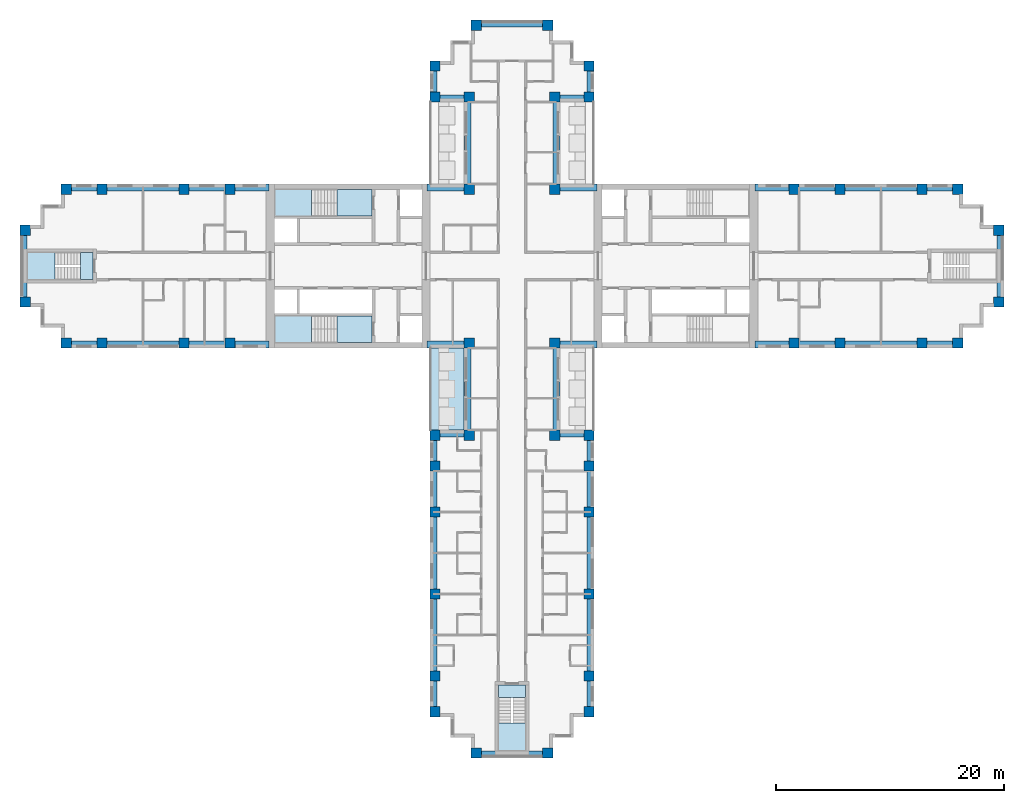
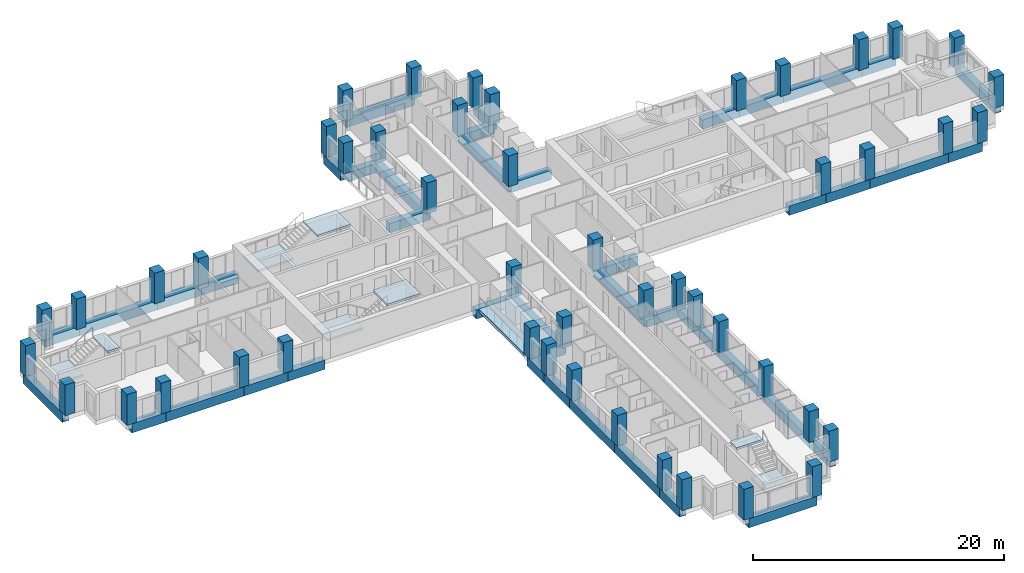
# One storey, part 1 of 14: 48 columns, 44 beams, 9 slabs, 4 elements without a shape of their own.
"""IFC4 building model written with IfcOpenShell, lengths in metres."""

from ifc_helpers import new_model, si_unit, direction, frame, origin, origin_2d, place, context, subcontext, project, spatial, polyline, rectangle, outline, extrude, material, layer, layer_set, material_profile, profile_set, type_object, element, aggregate, save


model = new_model("IFC4")

# Units and contexts
model_context = context("Model", 3, precision=1e-05, world=origin(), true_north=direction((0.0, 1.0)))
body_context = subcontext(model_context, "Body", "Model", "MODEL_VIEW")
ifc_project = project(units=[si_unit("LENGTHUNIT", "METRE"), si_unit("AREAUNIT", "SQUARE_METRE"), si_unit("VOLUMEUNIT", "CUBIC_METRE"), si_unit("PLANEANGLEUNIT", "RADIAN"), si_unit("MASSUNIT", "GRAM", prefix="KILO")], contexts=[model_context])

# Site, building, storey
site_placement = place(None, origin())
site = spatial("IfcSite", under=ifc_project, at=site_placement, CompositionType="ELEMENT")
building_placement = place(site_placement, origin())
building = spatial("IfcBuilding", under=site, at=building_placement, Name="Fustian Cross Tower", CompositionType="ELEMENT")
storey_placement = place(building_placement, frame((0.0, 0.0, 72.89990234375)))
storey = spatial("IfcBuildingStorey", under=building, at=storey_placement, Name="L22", CompositionType="ELEMENT", Elevation=72.89990234375)

# Columns
ifc_material_1 = material(Name="Concrete C60/75", Category="concrete")
ifc_material_profile_1 = material_profile(ifc_material_1, rectangle(XDim=0.89990234375, YDim=0.89990234375, at=origin_2d()), Name="RC 900x900")
ifc_profile_set_1 = profile_set([ifc_material_profile_1], Name="Concrete C60/75")
column_type = type_object("IfcColumnType", Name="COLUMN RC 900x900 C60/75", PredefinedType="COLUMN", material=ifc_profile_set_1)
for number, where, z_axis, x_axis, name in (
    (1, (-42.75, -3.14990234375, 0.0), (0.0, 0.0, 1.0), (1.0, 0.0, 0.0), "COLUMN 001"),
    (2, (-42.75, 3.14990234375, 0.0), (0.0, 0.0, 1.0), (1.0, 0.0, 0.0), "COLUMN 002"),
    (3, (-39.14990234375, -6.75, 0.0), (0.0, 0.0, 1.0), (1.0, 0.0, 0.0), "COLUMN 003"),
    (4, (-39.14990234375, 6.75, 0.0), (0.0, 0.0, 1.0), (1.0, 0.0, 0.0), "COLUMN 004"),
    (5, (-36.0, -6.75, 0.0), (0.0, 0.0, 1.0), (1.0, 0.0, 0.0), "COLUMN 005"),
    (6, (-36.0, 6.75, 0.0), (0.0, 0.0, 1.0), (1.0, 0.0, 0.0), "COLUMN 006"),
    (7, (-28.800048828125, -6.75, 0.0), (0.0, 0.0, 1.0), (1.0, 0.0, 0.0), "COLUMN 007"),
    (8, (-28.800048828125, 6.75, 0.0), (0.0, 0.0, 1.0), (1.0, 0.0, 0.0), "COLUMN 010"),
    (9, (-24.75, -6.75, 0.0), (0.0, 0.0, 1.0), (1.0, 0.0, 0.0), "COLUMN 011"),
    (10, (-24.75, 6.75, 0.0), (0.0, 0.0, 1.0), (1.0, 0.0, 0.0), "COLUMN 012"),
    (11, (-6.75, -39.14990234375, 0.0), (0.0, 0.0, 1.0), (1.0, 0.0, 0.0), "COLUMN 013"),
    (12, (-6.75, -36.0, 0.0), (0.0, 0.0, 1.0), (1.0, 0.0, 0.0), "COLUMN 014"),
    (13, (-6.75, -28.800048828125, 0.0), (0.0, 0.0, 1.0), (1.0, 0.0, 0.0), "COLUMN 015"),
    (14, (-6.75, -21.60009765625, 0.0), (0.0, 0.0, 1.0), (1.0, 0.0, 0.0), "COLUMN 016"),
    (15, (-6.75, -17.550048828125, 0.0), (0.0, 0.0, 1.0), (1.0, 0.0, 0.0), "COLUMN 017"),
    (16, (-6.75, -14.85009765625, 0.0), (0.0, 0.0, 1.0), (1.0, 0.0, 0.0), "COLUMN 018"),
    (17, (-6.75, 14.85009765625, 0.0), (0.0, 0.0, 1.0), (1.0, 0.0, 0.0), "COLUMN 019"),
    (18, (-6.75, 17.550048828125, 0.0), (0.0, 0.0, 1.0), (1.0, 0.0, 0.0), "COLUMN 020"),
    (19, (-3.75, -14.85009765625, 0.0), (0.0, 0.0, 1.0), (1.0, 0.0, 0.0), "COLUMN 025"),
    (20, (-3.75, -6.75, 0.0), (0.0, 0.0, 1.0), (1.0, 0.0, 0.0), "COLUMN 026"),
    (21, (-3.75, 6.75, 0.0), (0.0, 0.0, 1.0), (1.0, 0.0, 0.0), "COLUMN 027"),
    (22, (-3.75, 14.85009765625, 0.0), (0.0, 0.0, 1.0), (1.0, 0.0, 0.0), "COLUMN 028"),
    (23, (-3.14990234375, -42.75, 0.0), (0.0, 0.0, 1.0), (1.0, 0.0, 0.0), "COLUMN 029"),
    (24, (-3.14990234375, 21.14990234375, 0.0), (0.0, 0.0, 1.0), (1.0, 0.0, 0.0), "COLUMN 031"),
    (25, (3.14990234375, -42.75, 0.0), (0.0, 0.0, 1.0), (1.0, 0.0, 0.0), "COLUMN 033"),
    (26, (3.14990234375, 21.14990234375, 0.0), (0.0, 0.0, 1.0), (1.0, 0.0, 0.0), "COLUMN 035"),
    (27, (3.75, -14.85009765625, 0.0), (0.0, 0.0, 1.0), (1.0, 0.0, 0.0), "COLUMN 037"),
    (28, (3.75, -6.75, 0.0), (0.0, 0.0, 1.0), (1.0, 0.0, 0.0), "COLUMN 038"),
    (29, (3.75, 6.75, 0.0), (0.0, 0.0, 1.0), (1.0, 0.0, 0.0), "COLUMN 039"),
    (30, (3.75, 14.85009765625, 0.0), (0.0, 0.0, 1.0), (1.0, 0.0, 0.0), "COLUMN 040"),
    (31, (6.75, -39.14990234375, 0.0), (0.0, 0.0, 1.0), (1.0, 0.0, 0.0), "COLUMN 041"),
    (32, (6.75, -36.0, 0.0), (0.0, 0.0, 1.0), (1.0, 0.0, 0.0), "COLUMN 042"),
    (33, (6.75, -28.800048828125, 0.0), (0.0, 0.0, 1.0), (1.0, 0.0, 0.0), "COLUMN 043"),
    (34, (6.75, -21.60009765625, 0.0), (0.0, 0.0, 1.0), (1.0, 0.0, 0.0), "COLUMN 044"),
    (35, (6.75, -17.550048828125, 0.0), (0.0, 0.0, 1.0), (1.0, 0.0, 0.0), "COLUMN 045"),
    (36, (6.75, -14.85009765625, 0.0), (0.0, 0.0, 1.0), (1.0, 0.0, 0.0), "COLUMN 046"),
    (37, (6.75, 14.85009765625, 0.0), (0.0, 0.0, 1.0), (1.0, 0.0, 0.0), "COLUMN 047"),
    (38, (6.75, 17.550048828125, 0.0), (0.0, 0.0, 1.0), (1.0, 0.0, 0.0), "COLUMN 048"),
    (39, (24.75, -6.75, 0.0), (0.0, 0.0, 1.0), (1.0, 0.0, 0.0), "COLUMN 053"),
    (40, (24.75, 6.75, 0.0), (0.0, 0.0, 1.0), (1.0, 0.0, 0.0), "COLUMN 054"),
    (41, (28.800048828125, -6.75, 0.0), (0.0, 0.0, 1.0), (1.0, 0.0, 0.0), "COLUMN 055"),
    (42, (28.800048828125, 6.75, 0.0), (0.0, 0.0, 1.0), (1.0, 0.0, 0.0), "COLUMN 058"),
    (43, (36.0, -6.75, 0.0), (0.0, 0.0, 1.0), (1.0, 0.0, 0.0), "COLUMN 059"),
    (44, (36.0, 6.75, 0.0), (0.0, 0.0, 1.0), (1.0, 0.0, 0.0), "COLUMN 060"),
    (45, (39.14990234375, -6.75, 0.0), (0.0, 0.0, 1.0), (1.0, 0.0, 0.0), "COLUMN 061"),
    (46, (39.14990234375, 6.75, 0.0), (0.0, 0.0, 1.0), (1.0, 0.0, 0.0), "COLUMN 062"),
    (47, (42.75, -3.14990234375, 0.0), (0.0, 0.0, 1.0), (1.0, 0.0, 0.0), "COLUMN 063"),
    (48, (42.75, 3.14990234375, 0.0), (0.0, 0.0, 1.0), (1.0, 0.0, 0.0), "COLUMN 064"),
):
    element("IfcColumn", number, at=place(storey_placement, frame(where, z_axis=z_axis, x_axis=x_axis)), inside=storey, type_object=column_type, Name=name, PredefinedType="COLUMN", context=body_context, shape_type="SweptSolid", body=[
        extrude(rectangle(XDim=0.89990234375, YDim=0.89990234375, at=origin_2d()), origin(), (0.0, 0.0, 1.0), 3.0),
    ])

# Beams
ifc_material_2 = material(Name="Concrete C50/60", Category="concrete")
ifc_material_profile_2 = material_profile(ifc_material_2, rectangle(XDim=0.60009765625, YDim=0.89990234375, at=origin_2d()), Name="RC 600x900")
ifc_profile_set_2 = profile_set([ifc_material_profile_2], Name="Concrete C50/60")
beam_type = type_object("IfcBeamType", Name="EDGE BEAM RC 600x900 C50/60", PredefinedType="SPANDREL", material=ifc_profile_set_2)
beam_1_placement = place(storey_placement, frame((21.35009765625, -6.89990234375, -0.449951171875), z_axis=(1.0, 0.0, 0.0), x_axis=(0.0, 1.0, 0.0)))
element("IfcBeam", 49, at=beam_1_placement, inside=storey, type_object=beam_type, Name="EDGE BEAM L22-01", PredefinedType="SPANDREL", context=body_context, shape_type="SweptSolid", body=[
    extrude(rectangle(XDim=0.60009765625, YDim=0.89990234375, at=origin_2d()), origin(), (0.0, 0.0, 1.0), 3.39990234375),
])
beam_2_placement = place(storey_placement, frame((24.75, -6.89990234375, -0.449951171875), z_axis=(1.0, 0.0, 0.0), x_axis=(0.0, 1.0, 0.0)))
element("IfcBeam", 50, at=beam_2_placement, inside=storey, type_object=beam_type, Name="EDGE BEAM L22-02", PredefinedType="SPANDREL", context=body_context, shape_type="SweptSolid", body=[
    extrude(rectangle(XDim=0.60009765625, YDim=0.89990234375, at=origin_2d()), origin(), (0.0, 0.0, 1.0), 4.050048828125),
])
beam_3_placement = place(storey_placement, frame((28.800048828125, -6.89990234375, -0.449951171875), z_axis=(1.0, 0.0, 0.0), x_axis=(0.0, 1.0, 0.0)))
element("IfcBeam", 51, at=beam_3_placement, inside=storey, type_object=beam_type, Name="EDGE BEAM L22-03", PredefinedType="SPANDREL", context=body_context, shape_type="SweptSolid", body=[
    extrude(rectangle(XDim=0.60009765625, YDim=0.89990234375, at=origin_2d()), origin(), (0.0, 0.0, 1.0), 7.199951171875),
])
beam_4_placement = place(storey_placement, frame((36.0, -6.89990234375, -0.449951171875), z_axis=(1.0, 0.0, 0.0), x_axis=(0.0, 1.0, 0.0)))
element("IfcBeam", 52, at=beam_4_placement, inside=storey, type_object=beam_type, Name="EDGE BEAM L22-04", PredefinedType="SPANDREL", context=body_context, shape_type="SweptSolid", body=[
    extrude(rectangle(XDim=0.60009765625, YDim=0.89990234375, at=origin_2d()), origin(), (0.0, 0.0, 1.0), 3.14990234375),
])
beam_5_placement = place(storey_placement, frame((42.89990234375, -3.14990234375, -0.449951171875), z_axis=(0.0, 1.0, 0.0), x_axis=(-1.0, 0.0, 0.0)))
element("IfcBeam", 53, at=beam_5_placement, inside=storey, type_object=beam_type, Name="EDGE BEAM L22-05", PredefinedType="SPANDREL", context=body_context, shape_type="SweptSolid", body=[
    extrude(rectangle(XDim=0.60009765625, YDim=0.89990234375, at=origin_2d()), origin(), (0.0, 0.0, 1.0), 6.2998046875),
])
beam_6_placement = place(storey_placement, frame((39.14990234375, 6.89990234375, -0.449951171875), z_axis=(-1.0, 0.0, 0.0), x_axis=(0.0, -1.0, 0.0)))
element("IfcBeam", 54, at=beam_6_placement, inside=storey, type_object=beam_type, Name="EDGE BEAM L22-06", PredefinedType="SPANDREL", context=body_context, shape_type="SweptSolid", body=[
    extrude(rectangle(XDim=0.60009765625, YDim=0.89990234375, at=origin_2d()), origin(), (0.0, 0.0, 1.0), 3.14990234375),
])
beam_7_placement = place(storey_placement, frame((36.0, 6.89990234375, -0.449951171875), z_axis=(-1.0, 0.0, 0.0), x_axis=(0.0, -1.0, 0.0)))
element("IfcBeam", 55, at=beam_7_placement, inside=storey, type_object=beam_type, Name="EDGE BEAM L22-07", PredefinedType="SPANDREL", context=body_context, shape_type="SweptSolid", body=[
    extrude(rectangle(XDim=0.60009765625, YDim=0.89990234375, at=origin_2d()), origin(), (0.0, 0.0, 1.0), 7.199951171875),
])
beam_8_placement = place(storey_placement, frame((28.800048828125, 6.89990234375, -0.449951171875), z_axis=(-1.0, 0.0, 0.0), x_axis=(0.0, -1.0, 0.0)))
element("IfcBeam", 56, at=beam_8_placement, inside=storey, type_object=beam_type, Name="EDGE BEAM L22-08", PredefinedType="SPANDREL", context=body_context, shape_type="SweptSolid", body=[
    extrude(rectangle(XDim=0.60009765625, YDim=0.89990234375, at=origin_2d()), origin(), (0.0, 0.0, 1.0), 4.050048828125),
])
beam_9_placement = place(storey_placement, frame((24.75, 6.89990234375, -0.449951171875), z_axis=(-1.0, 0.0, 0.0), x_axis=(0.0, -1.0, 0.0)))
element("IfcBeam", 57, at=beam_9_placement, inside=storey, type_object=beam_type, Name="EDGE BEAM L22-09", PredefinedType="SPANDREL", context=body_context, shape_type="SweptSolid", body=[
    extrude(rectangle(XDim=0.60009765625, YDim=0.89990234375, at=origin_2d()), origin(), (0.0, 0.0, 1.0), 3.39990234375),
])
beam_10_placement = place(storey_placement, frame((7.449951171875, 6.89990234375, -0.449951171875), z_axis=(-1.0, 0.0, 0.0), x_axis=(0.0, -1.0, 0.0)))
element("IfcBeam", 58, at=beam_10_placement, inside=storey, type_object=beam_type, Name="EDGE BEAM L22-10", PredefinedType="SPANDREL", context=body_context, shape_type="SweptSolid", body=[
    extrude(rectangle(XDim=0.60009765625, YDim=0.89990234375, at=origin_2d()), origin(), (0.0, 0.0, 1.0), 3.699951171875),
])
beam_11_placement = place(storey_placement, frame((3.89990234375, 6.75, -0.449951171875), z_axis=(0.0, 1.0, 0.0), x_axis=(-1.0, 0.0, 0.0)))
element("IfcBeam", 59, at=beam_11_placement, inside=storey, type_object=beam_type, Name="EDGE BEAM L22-11", PredefinedType="SPANDREL", context=body_context, shape_type="SweptSolid", body=[
    extrude(rectangle(XDim=0.60009765625, YDim=0.89990234375, at=origin_2d()), origin(), (0.0, 0.0, 1.0), 8.10009765625),
])
beam_12_placement = place(storey_placement, frame((3.75, 14.699951171875, -0.449951171875), z_axis=(1.0, 0.0, 0.0), x_axis=(0.0, 1.0, 0.0)))
element("IfcBeam", 60, at=beam_12_placement, inside=storey, type_object=beam_type, Name="EDGE BEAM L22-12", PredefinedType="SPANDREL", context=body_context, shape_type="SweptSolid", body=[
    extrude(rectangle(XDim=0.60009765625, YDim=0.89990234375, at=origin_2d()), origin(), (0.0, 0.0, 1.0), 3.0),
])
beam_13_placement = place(storey_placement, frame((6.89990234375, 14.85009765625, -0.449951171875), z_axis=(0.0, 1.0, 0.0), x_axis=(-1.0, 0.0, 0.0)))
element("IfcBeam", 61, at=beam_13_placement, inside=storey, type_object=beam_type, Name="EDGE BEAM L22-13", PredefinedType="SPANDREL", context=body_context, shape_type="SweptSolid", body=[
    extrude(rectangle(XDim=0.60009765625, YDim=0.89990234375, at=origin_2d()), origin(), (0.0, 0.0, 1.0), 2.699951171875),
])
beam_14_placement = place(storey_placement, frame((3.14990234375, 21.300048828125, -0.449951171875), z_axis=(-1.0, 0.0, 0.0), x_axis=(0.0, -1.0, 0.0)))
element("IfcBeam", 62, at=beam_14_placement, inside=storey, type_object=beam_type, Name="EDGE BEAM L22-14", PredefinedType="SPANDREL", context=body_context, shape_type="SweptSolid", body=[
    extrude(rectangle(XDim=0.60009765625, YDim=0.89990234375, at=origin_2d()), origin(), (0.0, 0.0, 1.0), 6.2998046875),
])
beam_15_placement = place(storey_placement, frame((-6.89990234375, 17.550048828125, -0.449951171875), z_axis=(0.0, -1.0, 0.0), x_axis=(1.0, 0.0, 0.0)))
element("IfcBeam", 63, at=beam_15_placement, inside=storey, type_object=beam_type, Name="EDGE BEAM L22-15", PredefinedType="SPANDREL", context=body_context, shape_type="SweptSolid", body=[
    extrude(rectangle(XDim=0.60009765625, YDim=0.89990234375, at=origin_2d()), origin(), (0.0, 0.0, 1.0), 2.699951171875),
])
beam_16_placement = place(storey_placement, frame((-6.75, 14.699951171875, -0.449951171875), z_axis=(1.0, 0.0, 0.0), x_axis=(0.0, 1.0, 0.0)))
element("IfcBeam", 64, at=beam_16_placement, inside=storey, type_object=beam_type, Name="EDGE BEAM L22-16", PredefinedType="SPANDREL", context=body_context, shape_type="SweptSolid", body=[
    extrude(rectangle(XDim=0.60009765625, YDim=0.89990234375, at=origin_2d()), origin(), (0.0, 0.0, 1.0), 3.0),
])
beam_17_placement = place(storey_placement, frame((-3.89990234375, 14.85009765625, -0.449951171875), z_axis=(0.0, -1.0, 0.0), x_axis=(1.0, 0.0, 0.0)))
element("IfcBeam", 65, at=beam_17_placement, inside=storey, type_object=beam_type, Name="EDGE BEAM L22-17", PredefinedType="SPANDREL", context=body_context, shape_type="SweptSolid", body=[
    extrude(rectangle(XDim=0.60009765625, YDim=0.89990234375, at=origin_2d()), origin(), (0.0, 0.0, 1.0), 8.10009765625),
])
beam_18_placement = place(storey_placement, frame((-3.75, 6.89990234375, -0.449951171875), z_axis=(-1.0, 0.0, 0.0), x_axis=(0.0, -1.0, 0.0)))
element("IfcBeam", 66, at=beam_18_placement, inside=storey, type_object=beam_type, Name="EDGE BEAM L22-18", PredefinedType="SPANDREL", context=body_context, shape_type="SweptSolid", body=[
    extrude(rectangle(XDim=0.60009765625, YDim=0.89990234375, at=origin_2d()), origin(), (0.0, 0.0, 1.0), 3.699951171875),
])
beam_19_placement = place(storey_placement, frame((-21.35009765625, 6.89990234375, -0.449951171875), z_axis=(-1.0, 0.0, 0.0), x_axis=(0.0, -1.0, 0.0)))
element("IfcBeam", 67, at=beam_19_placement, inside=storey, type_object=beam_type, Name="EDGE BEAM L22-19", PredefinedType="SPANDREL", context=body_context, shape_type="SweptSolid", body=[
    extrude(rectangle(XDim=0.60009765625, YDim=0.89990234375, at=origin_2d()), origin(), (0.0, 0.0, 1.0), 3.39990234375),
])
beam_20_placement = place(storey_placement, frame((-24.75, 6.89990234375, -0.449951171875), z_axis=(-1.0, 0.0, 0.0), x_axis=(0.0, -1.0, 0.0)))
element("IfcBeam", 68, at=beam_20_placement, inside=storey, type_object=beam_type, Name="EDGE BEAM L22-20", PredefinedType="SPANDREL", context=body_context, shape_type="SweptSolid", body=[
    extrude(rectangle(XDim=0.60009765625, YDim=0.89990234375, at=origin_2d()), origin(), (0.0, 0.0, 1.0), 4.050048828125),
])
beam_21_placement = place(storey_placement, frame((-28.800048828125, 6.89990234375, -0.449951171875), z_axis=(-1.0, 0.0, 0.0), x_axis=(0.0, -1.0, 0.0)))
element("IfcBeam", 69, at=beam_21_placement, inside=storey, type_object=beam_type, Name="EDGE BEAM L22-21", PredefinedType="SPANDREL", context=body_context, shape_type="SweptSolid", body=[
    extrude(rectangle(XDim=0.60009765625, YDim=0.89990234375, at=origin_2d()), origin(), (0.0, 0.0, 1.0), 7.199951171875),
])
beam_22_placement = place(storey_placement, frame((-36.0, 6.89990234375, -0.449951171875), z_axis=(-1.0, 0.0, 0.0), x_axis=(0.0, -1.0, 0.0)))
element("IfcBeam", 70, at=beam_22_placement, inside=storey, type_object=beam_type, Name="EDGE BEAM L22-22", PredefinedType="SPANDREL", context=body_context, shape_type="SweptSolid", body=[
    extrude(rectangle(XDim=0.60009765625, YDim=0.89990234375, at=origin_2d()), origin(), (0.0, 0.0, 1.0), 3.14990234375),
])
beam_23_placement = place(storey_placement, frame((-42.89990234375, 3.14990234375, -0.449951171875), z_axis=(0.0, -1.0, 0.0), x_axis=(1.0, 0.0, 0.0)))
element("IfcBeam", 71, at=beam_23_placement, inside=storey, type_object=beam_type, Name="EDGE BEAM L22-23", PredefinedType="SPANDREL", context=body_context, shape_type="SweptSolid", body=[
    extrude(rectangle(XDim=0.60009765625, YDim=0.89990234375, at=origin_2d()), origin(), (0.0, 0.0, 1.0), 6.2998046875),
])
beam_24_placement = place(storey_placement, frame((-39.14990234375, -6.89990234375, -0.449951171875), z_axis=(1.0, 0.0, 0.0), x_axis=(0.0, 1.0, 0.0)))
element("IfcBeam", 72, at=beam_24_placement, inside=storey, type_object=beam_type, Name="EDGE BEAM L22-24", PredefinedType="SPANDREL", context=body_context, shape_type="SweptSolid", body=[
    extrude(rectangle(XDim=0.60009765625, YDim=0.89990234375, at=origin_2d()), origin(), (0.0, 0.0, 1.0), 3.14990234375),
])
beam_25_placement = place(storey_placement, frame((-36.0, -6.89990234375, -0.449951171875), z_axis=(1.0, 0.0, 0.0), x_axis=(0.0, 1.0, 0.0)))
element("IfcBeam", 73, at=beam_25_placement, inside=storey, type_object=beam_type, Name="EDGE BEAM L22-25", PredefinedType="SPANDREL", context=body_context, shape_type="SweptSolid", body=[
    extrude(rectangle(XDim=0.60009765625, YDim=0.89990234375, at=origin_2d()), origin(), (0.0, 0.0, 1.0), 7.199951171875),
])
beam_26_placement = place(storey_placement, frame((-28.800048828125, -6.89990234375, -0.449951171875), z_axis=(1.0, 0.0, 0.0), x_axis=(0.0, 1.0, 0.0)))
element("IfcBeam", 74, at=beam_26_placement, inside=storey, type_object=beam_type, Name="EDGE BEAM L22-26", PredefinedType="SPANDREL", context=body_context, shape_type="SweptSolid", body=[
    extrude(rectangle(XDim=0.60009765625, YDim=0.89990234375, at=origin_2d()), origin(), (0.0, 0.0, 1.0), 4.050048828125),
])
beam_27_placement = place(storey_placement, frame((-24.75, -6.89990234375, -0.449951171875), z_axis=(1.0, 0.0, 0.0), x_axis=(0.0, 1.0, 0.0)))
element("IfcBeam", 75, at=beam_27_placement, inside=storey, type_object=beam_type, Name="EDGE BEAM L22-27", PredefinedType="SPANDREL", context=body_context, shape_type="SweptSolid", body=[
    extrude(rectangle(XDim=0.60009765625, YDim=0.89990234375, at=origin_2d()), origin(), (0.0, 0.0, 1.0), 3.39990234375),
])
beam_28_placement = place(storey_placement, frame((-7.449951171875, -6.89990234375, -0.449951171875), z_axis=(1.0, 0.0, 0.0), x_axis=(0.0, 1.0, 0.0)))
element("IfcBeam", 76, at=beam_28_placement, inside=storey, type_object=beam_type, Name="EDGE BEAM L22-28", PredefinedType="SPANDREL", context=body_context, shape_type="SweptSolid", body=[
    extrude(rectangle(XDim=0.60009765625, YDim=0.89990234375, at=origin_2d()), origin(), (0.0, 0.0, 1.0), 3.699951171875),
])
beam_29_placement = place(storey_placement, frame((-3.89990234375, -6.75, -0.449951171875), z_axis=(0.0, -1.0, 0.0), x_axis=(1.0, 0.0, 0.0)))
element("IfcBeam", 77, at=beam_29_placement, inside=storey, type_object=beam_type, Name="EDGE BEAM L22-29", PredefinedType="SPANDREL", context=body_context, shape_type="SweptSolid", body=[
    extrude(rectangle(XDim=0.60009765625, YDim=0.89990234375, at=origin_2d()), origin(), (0.0, 0.0, 1.0), 8.10009765625),
])
beam_30_placement = place(storey_placement, frame((-3.75, -14.699951171875, -0.449951171875), z_axis=(-1.0, 0.0, 0.0), x_axis=(0.0, -1.0, 0.0)))
element("IfcBeam", 78, at=beam_30_placement, inside=storey, type_object=beam_type, Name="EDGE BEAM L22-30", PredefinedType="SPANDREL", context=body_context, shape_type="SweptSolid", body=[
    extrude(rectangle(XDim=0.60009765625, YDim=0.89990234375, at=origin_2d()), origin(), (0.0, 0.0, 1.0), 3.0),
])
beam_31_placement = place(storey_placement, frame((-6.89990234375, -14.85009765625, -0.449951171875), z_axis=(0.0, -1.0, 0.0), x_axis=(1.0, 0.0, 0.0)))
element("IfcBeam", 79, at=beam_31_placement, inside=storey, type_object=beam_type, Name="EDGE BEAM L22-31", PredefinedType="SPANDREL", context=body_context, shape_type="SweptSolid", body=[
    extrude(rectangle(XDim=0.60009765625, YDim=0.89990234375, at=origin_2d()), origin(), (0.0, 0.0, 1.0), 2.699951171875),
])
beam_32_placement = place(storey_placement, frame((-6.89990234375, -17.550048828125, -0.449951171875), z_axis=(0.0, -1.0, 0.0), x_axis=(1.0, 0.0, 0.0)))
element("IfcBeam", 80, at=beam_32_placement, inside=storey, type_object=beam_type, Name="EDGE BEAM L22-32", PredefinedType="SPANDREL", context=body_context, shape_type="SweptSolid", body=[
    extrude(rectangle(XDim=0.60009765625, YDim=0.89990234375, at=origin_2d()), origin(), (0.0, 0.0, 1.0), 4.050048828125),
])
for number, where, z_axis, x_axis, name in (
    (81, (-6.89990234375, -21.60009765625, -0.449951171875), (0.0, -1.0, 0.0), (1.0, 0.0, 0.0), "EDGE BEAM L22-33"),
    (82, (-6.89990234375, -28.800048828125, -0.449951171875), (0.0, -1.0, 0.0), (1.0, 0.0, 0.0), "EDGE BEAM L22-34"),
):
    element("IfcBeam", number, at=place(storey_placement, frame(where, z_axis=z_axis, x_axis=x_axis)), inside=storey, type_object=beam_type, Name=name, PredefinedType="SPANDREL", context=body_context, shape_type="SweptSolid", body=[
        extrude(rectangle(XDim=0.60009765625, YDim=0.89990234375, at=origin_2d()), origin(), (0.0, 0.0, 1.0), 7.199951171875),
    ])
beam_33_placement = place(storey_placement, frame((-6.89990234375, -36.0, -0.449951171875), z_axis=(0.0, -1.0, 0.0), x_axis=(1.0, 0.0, 0.0)))
element("IfcBeam", 83, at=beam_33_placement, inside=storey, type_object=beam_type, Name="EDGE BEAM L22-35", PredefinedType="SPANDREL", context=body_context, shape_type="SweptSolid", body=[
    extrude(rectangle(XDim=0.60009765625, YDim=0.89990234375, at=origin_2d()), origin(), (0.0, 0.0, 1.0), 3.14990234375),
])
beam_34_placement = place(storey_placement, frame((-3.14990234375, -42.89990234375, -0.449951171875), z_axis=(1.0, 0.0, 0.0), x_axis=(0.0, 1.0, 0.0)))
element("IfcBeam", 84, at=beam_34_placement, inside=storey, type_object=beam_type, Name="EDGE BEAM L22-36", PredefinedType="SPANDREL", context=body_context, shape_type="SweptSolid", body=[
    extrude(rectangle(XDim=0.60009765625, YDim=0.89990234375, at=origin_2d()), origin(), (0.0, 0.0, 1.0), 6.2998046875),
])
beam_35_placement = place(storey_placement, frame((6.89990234375, -39.14990234375, -0.449951171875), z_axis=(0.0, 1.0, 0.0), x_axis=(-1.0, 0.0, 0.0)))
element("IfcBeam", 85, at=beam_35_placement, inside=storey, type_object=beam_type, Name="EDGE BEAM L22-37", PredefinedType="SPANDREL", context=body_context, shape_type="SweptSolid", body=[
    extrude(rectangle(XDim=0.60009765625, YDim=0.89990234375, at=origin_2d()), origin(), (0.0, 0.0, 1.0), 3.14990234375),
])
for number, where, z_axis, x_axis, name in (
    (86, (6.89990234375, -36.0, -0.449951171875), (0.0, 1.0, 0.0), (-1.0, 0.0, 0.0), "EDGE BEAM L22-38"),
    (87, (6.89990234375, -28.800048828125, -0.449951171875), (0.0, 1.0, 0.0), (-1.0, 0.0, 0.0), "EDGE BEAM L22-39"),
):
    element("IfcBeam", number, at=place(storey_placement, frame(where, z_axis=z_axis, x_axis=x_axis)), inside=storey, type_object=beam_type, Name=name, PredefinedType="SPANDREL", context=body_context, shape_type="SweptSolid", body=[
        extrude(rectangle(XDim=0.60009765625, YDim=0.89990234375, at=origin_2d()), origin(), (0.0, 0.0, 1.0), 7.199951171875),
    ])
beam_36_placement = place(storey_placement, frame((6.89990234375, -21.60009765625, -0.449951171875), z_axis=(0.0, 1.0, 0.0), x_axis=(-1.0, 0.0, 0.0)))
element("IfcBeam", 88, at=beam_36_placement, inside=storey, type_object=beam_type, Name="EDGE BEAM L22-40", PredefinedType="SPANDREL", context=body_context, shape_type="SweptSolid", body=[
    extrude(rectangle(XDim=0.60009765625, YDim=0.89990234375, at=origin_2d()), origin(), (0.0, 0.0, 1.0), 4.050048828125),
])
beam_37_placement = place(storey_placement, frame((6.89990234375, -17.550048828125, -0.449951171875), z_axis=(0.0, 1.0, 0.0), x_axis=(-1.0, 0.0, 0.0)))
element("IfcBeam", 89, at=beam_37_placement, inside=storey, type_object=beam_type, Name="EDGE BEAM L22-41", PredefinedType="SPANDREL", context=body_context, shape_type="SweptSolid", body=[
    extrude(rectangle(XDim=0.60009765625, YDim=0.89990234375, at=origin_2d()), origin(), (0.0, 0.0, 1.0), 2.699951171875),
])
beam_38_placement = place(storey_placement, frame((6.75, -14.699951171875, -0.449951171875), z_axis=(-1.0, 0.0, 0.0), x_axis=(0.0, -1.0, 0.0)))
element("IfcBeam", 90, at=beam_38_placement, inside=storey, type_object=beam_type, Name="EDGE BEAM L22-42", PredefinedType="SPANDREL", context=body_context, shape_type="SweptSolid", body=[
    extrude(rectangle(XDim=0.60009765625, YDim=0.89990234375, at=origin_2d()), origin(), (0.0, 0.0, 1.0), 3.0),
])
beam_39_placement = place(storey_placement, frame((3.89990234375, -14.85009765625, -0.449951171875), z_axis=(0.0, 1.0, 0.0), x_axis=(-1.0, 0.0, 0.0)))
element("IfcBeam", 91, at=beam_39_placement, inside=storey, type_object=beam_type, Name="EDGE BEAM L22-43", PredefinedType="SPANDREL", context=body_context, shape_type="SweptSolid", body=[
    extrude(rectangle(XDim=0.60009765625, YDim=0.89990234375, at=origin_2d()), origin(), (0.0, 0.0, 1.0), 8.10009765625),
])
beam_40_placement = place(storey_placement, frame((3.75, -6.89990234375, -0.449951171875), z_axis=(1.0, 0.0, 0.0), x_axis=(0.0, 1.0, 0.0)))
element("IfcBeam", 92, at=beam_40_placement, inside=storey, type_object=beam_type, Name="EDGE BEAM L22-44", PredefinedType="SPANDREL", context=body_context, shape_type="SweptSolid", body=[
    extrude(rectangle(XDim=0.60009765625, YDim=0.89990234375, at=origin_2d()), origin(), (0.0, 0.0, 1.0), 3.699951171875),
])

# Slab
ifc_material_3 = material(Name="Concrete C40/50", Category="concrete")
ifc_layer_1 = layer(ifc_material_3, 0.300048828125)
ifc_layer_set_1 = layer_set([ifc_layer_1], Name="Concrete C40/50")
slab_type_1 = type_object("IfcSlabType", Name="BS1 BALCONY SLAB 300", PredefinedType="FLOOR", material=ifc_layer_set_1)
slab_1_placement = place(storey_placement, frame((0.0, 0.0, -0.2998046875)))
element("IfcSlab", 93, at=slab_1_placement, inside=storey, type_object=slab_type_1, Name="Balcony slab", PredefinedType="FLOOR", context=body_context, shape_type="SweptSolid", body=[
    extrude(outline(polyline([(-7.199951171875, -14.39990234375), (-4.199951171875, -14.39990234375), (-4.199951171875, -7.199951171875), (-7.199951171875, -7.199951171875), (-7.199951171875, -14.39990234375)])), origin(), (0.0, 0.0, 1.0), 0.2998046875),
])

# Stair, slabs
ifc_material_4 = material(Name="Concrete C50/60", Category="concrete")
stair_type_1 = type_object("IfcStairType", Name="STAIR 1150 HALF TURN", PredefinedType="HALF_TURN_STAIR", material=ifc_material_4)
stair_1_placement = place(storey_placement, origin())
stair_1 = element("IfcStair", 94, at=stair_1_placement, inside=storey, type_object=stair_type_1, Name="Stair ST3", PredefinedType="HALF_TURN_STAIR")
ifc_material_5 = material(Name="Concrete C50/60", Category="concrete")
ifc_layer_2 = layer(ifc_material_5, 0.199951171875)
ifc_layer_set_2 = layer_set([ifc_layer_2], Name="Concrete C50/60")
slab_type_2 = type_object("IfcSlabType", Name="STAIR LANDING", PredefinedType="LANDING", material=ifc_layer_set_2)
slab_2_placement = place(storey_placement, frame((0.0, 0.0, 1.300048828125)))
slab_2 = element("IfcSlab", 95, at=slab_2_placement, type_object=slab_type_2, Name="ST3 landing 1", PredefinedType="LANDING", context=body_context, shape_type="SweptSolid", body=[
    extrude(outline(polyline([(-17.590087890625, 4.39990234375), (-20.85009765625, 4.39990234375), (-20.85009765625, 6.699951171875), (-17.590087890625, 6.699951171875), (-17.590087890625, 4.39990234375)])), origin(), (0.0, 0.0, 1.0), 0.199951171875),
])
slab_3_placement = place(storey_placement, frame((0.0, 0.0, 2.800048828125)))
slab_3 = element("IfcSlab", 96, at=slab_3_placement, type_object=slab_type_2, Name="ST3 landing 2", PredefinedType="LANDING", context=body_context, shape_type="SweptSolid", body=[
    extrude(outline(polyline([(-12.300048828125, 4.39990234375), (-15.35009765625, 4.39990234375), (-15.35009765625, 6.699951171875), (-12.300048828125, 6.699951171875), (-12.300048828125, 4.39990234375)])), origin(), (0.0, 0.0, 1.0), 0.199951171875),
])
aggregate(stair_1, [slab_2, slab_3])

stair_2_placement = place(storey_placement, origin())
stair_2 = element("IfcStair", 97, at=stair_2_placement, inside=storey, type_object=stair_type_1, Name="Stair ST4", PredefinedType="HALF_TURN_STAIR")
slab_4_placement = place(storey_placement, frame((0.0, 0.0, 1.300048828125)))
slab_4 = element("IfcSlab", 98, at=slab_4_placement, type_object=slab_type_2, Name="ST4 landing 1", PredefinedType="LANDING", context=body_context, shape_type="SweptSolid", body=[
    extrude(outline(polyline([(-17.590087890625, -4.39990234375), (-20.85009765625, -4.39990234375), (-20.85009765625, -6.699951171875), (-17.590087890625, -6.699951171875), (-17.590087890625, -4.39990234375)])), origin(), (0.0, 0.0, 1.0), 0.199951171875),
])
slab_5_placement = place(storey_placement, frame((0.0, 0.0, 2.800048828125)))
slab_5 = element("IfcSlab", 99, at=slab_5_placement, type_object=slab_type_2, Name="ST4 landing 2", PredefinedType="LANDING", context=body_context, shape_type="SweptSolid", body=[
    extrude(outline(polyline([(-12.300048828125, -4.39990234375), (-15.35009765625, -4.39990234375), (-15.35009765625, -6.699951171875), (-12.300048828125, -6.699951171875), (-12.300048828125, -4.39990234375)])), origin(), (0.0, 0.0, 1.0), 0.199951171875),
])
aggregate(stair_2, [slab_4, slab_5])

ifc_material_6 = material(Name="Concrete C50/60", Category="concrete")
stair_type_2 = type_object("IfcStairType", Name="STAIR 1100 HALF TURN", PredefinedType="HALF_TURN_STAIR", material=ifc_material_6)
stair_3_placement = place(storey_placement, origin())
stair_3 = element("IfcStair", 100, at=stair_3_placement, inside=storey, type_object=stair_type_2, Name="Stair ST6", PredefinedType="HALF_TURN_STAIR")
slab_6_placement = place(storey_placement, frame((0.0, 0.0, 1.300048828125)))
slab_6 = element("IfcSlab", 101, at=slab_6_placement, type_object=slab_type_2, Name="ST6 landing 1", PredefinedType="LANDING", context=body_context, shape_type="SweptSolid", body=[
    extrude(outline(polyline([(-1.199951171875, -40.139892578125), (-1.199951171875, -42.60009765625), (1.199951171875, -42.60009765625), (1.199951171875, -40.139892578125), (-1.199951171875, -40.139892578125)])), origin(), (0.0, 0.0, 1.0), 0.199951171875),
])
slab_7_placement = place(storey_placement, frame((0.0, 0.0, 2.800048828125)))
slab_7 = element("IfcSlab", 102, at=slab_7_placement, type_object=slab_type_2, Name="ST6 landing 2", PredefinedType="LANDING", context=body_context, shape_type="SweptSolid", body=[
    extrude(outline(polyline([(-1.199951171875, -36.800048828125), (-1.199951171875, -37.89990234375), (1.199951171875, -37.89990234375), (1.199951171875, -36.800048828125), (-1.199951171875, -36.800048828125)])), origin(), (0.0, 0.0, 1.0), 0.199951171875),
])
aggregate(stair_3, [slab_6, slab_7])

stair_4_placement = place(storey_placement, origin())
stair_4 = element("IfcStair", 103, at=stair_4_placement, inside=storey, type_object=stair_type_2, Name="Stair ST9", PredefinedType="HALF_TURN_STAIR")
slab_8_placement = place(storey_placement, frame((0.0, 0.0, 1.300048828125)))
slab_8 = element("IfcSlab", 104, at=slab_8_placement, type_object=slab_type_2, Name="ST9 landing 1", PredefinedType="LANDING", context=body_context, shape_type="SweptSolid", body=[
    extrude(outline(polyline([(-40.139892578125, -1.199951171875), (-42.60009765625, -1.199951171875), (-42.60009765625, 1.199951171875), (-40.139892578125, 1.199951171875), (-40.139892578125, -1.199951171875)])), origin(), (0.0, 0.0, 1.0), 0.199951171875),
])
slab_9_placement = place(storey_placement, frame((0.0, 0.0, 2.800048828125)))
slab_9 = element("IfcSlab", 105, at=slab_9_placement, type_object=slab_type_2, Name="ST9 landing 2", PredefinedType="LANDING", context=body_context, shape_type="SweptSolid", body=[
    extrude(outline(polyline([(-36.800048828125, -1.199951171875), (-37.89990234375, -1.199951171875), (-37.89990234375, 1.199951171875), (-36.800048828125, 1.199951171875), (-36.800048828125, -1.199951171875)])), origin(), (0.0, 0.0, 1.0), 0.199951171875),
])
aggregate(stair_4, [slab_8, slab_9])

save(model, "model.ifc")
